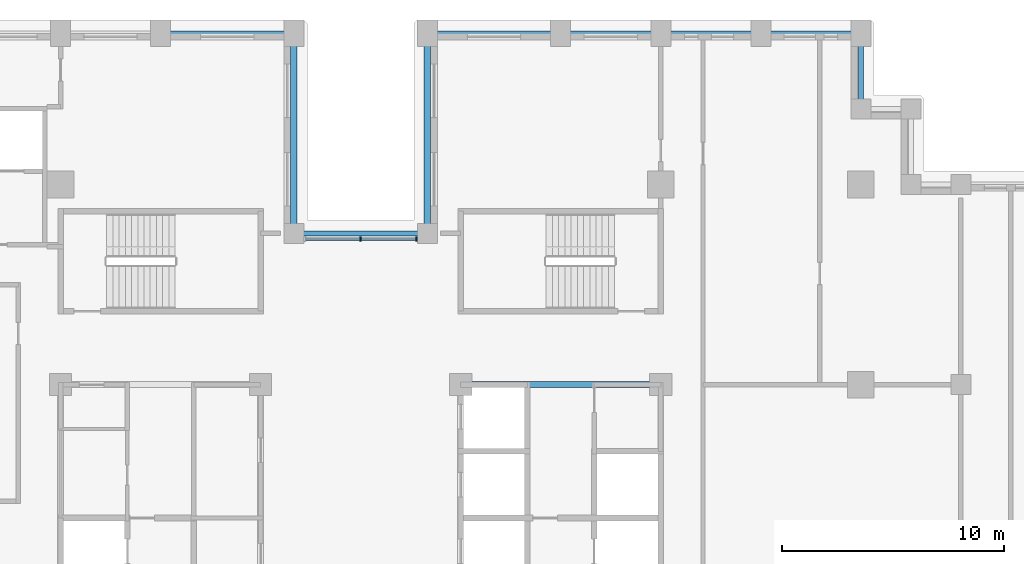
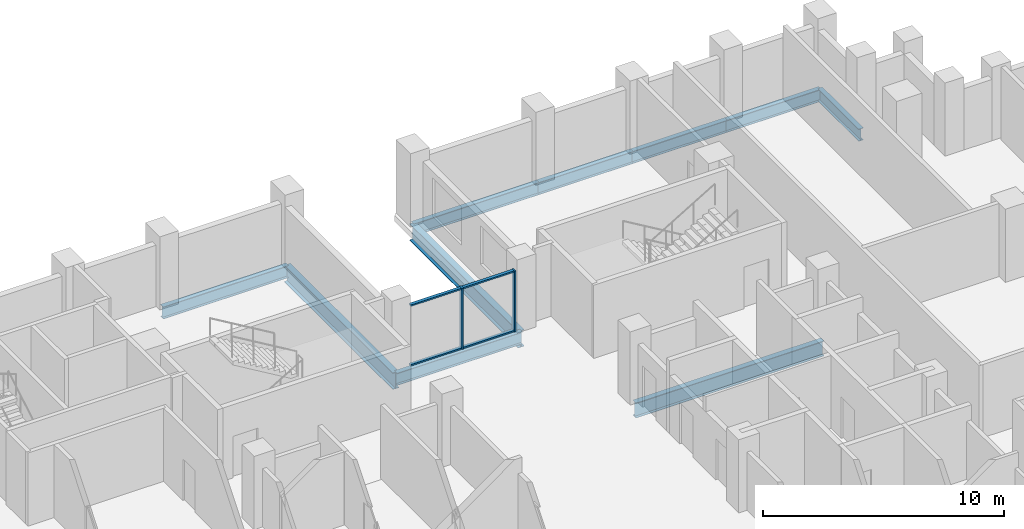
# One storey, part 4 of 16: 10 beams, 6 members, 1 element without a shape of its own.
"""IFC4 building model written with IfcOpenShell, lengths in metres."""

from ifc_helpers import new_model, si_unit, direction, frame, origin, origin_2d, place, context, subcontext, project, spatial, rectangle, i_section, extrude, material, layer, layer_set, material_profile, profile_set, type_object, element, aggregate, save


model = new_model("IFC4")

# Units and contexts
model_context = context("Model", 3, precision=1e-05, world=origin(), true_north=direction((0.0, 1.0)))
body_context = subcontext(model_context, "Body", "Model", "MODEL_VIEW")
ifc_project = project(units=[si_unit("LENGTHUNIT", "METRE"), si_unit("AREAUNIT", "SQUARE_METRE"), si_unit("VOLUMEUNIT", "CUBIC_METRE"), si_unit("PLANEANGLEUNIT", "RADIAN"), si_unit("MASSUNIT", "GRAM", prefix="KILO")], contexts=[model_context])

# Site, building, storey
site_placement = place(None, origin())
site = spatial("IfcSite", under=ifc_project, at=site_placement, CompositionType="ELEMENT")
building_placement = place(site_placement, origin())
building = spatial("IfcBuilding", under=site, at=building_placement, Name="Corbelhall Arena Tower", CompositionType="ELEMENT")
storey_placement = place(building_placement, frame((0.0, 0.0, 108.0)))
storey = spatial("IfcBuildingStorey", under=building, at=storey_placement, Name="L19", CompositionType="ELEMENT", Elevation=108.0)

# Curtain wall, members
ifc_material_1 = material(Name="Aluminium black anodised", Category="aluminium")
ifc_layer = layer(ifc_material_1, 0.199951171875)
ifc_layer_set = layer_set([ifc_layer], Name="EV-CW1 Slot back wall")
curtain_wall_type = type_object("IfcCurtainWallType", Name="EV-CW1 Slot back wall", PredefinedType="NOTDEFINED", material=ifc_layer_set)
curtain_wall_placement = place(storey_placement, origin())
curtain_wall = element("IfcCurtainWall", 1, at=curtain_wall_placement, inside=storey, type_object=curtain_wall_type, Name="Curtain wall CW1", PredefinedType="NOTDEFINED")
ifc_material_profile_1 = material_profile(ifc_material_1, rectangle(XDim=0.199951171875, YDim=0.074951171875, at=origin_2d()))
ifc_profile_set_1 = profile_set([ifc_material_profile_1], Name="Aluminium black anodised")
member_type_1 = type_object("IfcMemberType", Name="EV-CW1-MULLION", PredefinedType="MULLION", material=ifc_profile_set_1)
member_1_placement = place(storey_placement, frame((2.512451171875, 15.550048828125, 0.0), z_axis=(0.0, 0.0, 1.0), x_axis=(0.0, -1.0, 0.0)))
member_1 = element("IfcMember", 2, at=member_1_placement, type_object=member_type_1, Name="CW1 mullion 1", PredefinedType="MULLION", context=body_context, shape_type="SweptSolid", body=[
    extrude(rectangle(XDim=0.199951171875, YDim=0.074951171875, at=origin_2d()), origin(), (0.0, 0.0, 1.0), 3.10009765625),
])
member_2_placement = place(storey_placement, frame((0.0, 15.550048828125, 0.0), z_axis=(0.0, 0.0, 1.0), x_axis=(0.0, -1.0, 0.0)))
member_2 = element("IfcMember", 3, at=member_2_placement, type_object=member_type_1, Name="CW1 mullion 2", PredefinedType="MULLION", context=body_context, shape_type="SweptSolid", body=[
    extrude(rectangle(XDim=0.199951171875, YDim=0.074951171875, at=origin_2d()), origin(), (0.0, 0.0, 1.0), 3.10009765625),
])
ifc_material_profile_2 = material_profile(ifc_material_1, rectangle(XDim=0.14990234375, YDim=0.074951171875, at=origin_2d()))
ifc_profile_set_2 = profile_set([ifc_material_profile_2], Name="Aluminium black anodised")
member_type_2 = type_object("IfcMemberType", Name="EV-CW1-TRANSOM", PredefinedType="USERDEFINED", material=ifc_profile_set_2)
member_3_placement = place(storey_placement, frame((2.47509765625, 15.550048828125, 0.03759765625), z_axis=(-1.0, 0.0, 0.0), x_axis=(0.0, -1.0, 0.0)))
member_3 = element("IfcMember", 4, at=member_3_placement, type_object=member_type_2, Name="CW1 transom 1.1", ObjectType="transom", PredefinedType="USERDEFINED", context=body_context, shape_type="SweptSolid", body=[
    extrude(rectangle(XDim=0.14990234375, YDim=0.074951171875, at=origin_2d()), origin(), (0.0, 0.0, 1.0), 2.4375),
])
member_4_placement = place(storey_placement, frame((2.47509765625, 15.550048828125, 3.0625), z_axis=(-1.0, 0.0, 0.0), x_axis=(0.0, -1.0, 0.0)))
member_4 = element("IfcMember", 5, at=member_4_placement, type_object=member_type_2, Name="CW1 transom 1.2", ObjectType="transom", PredefinedType="USERDEFINED", context=body_context, shape_type="SweptSolid", body=[
    extrude(rectangle(XDim=0.14990234375, YDim=0.074951171875, at=origin_2d()), origin(), (0.0, 0.0, 1.0), 2.4375),
])
member_5_placement = place(storey_placement, frame((-0.03759765625, 15.550048828125, 0.03759765625), z_axis=(-1.0, 0.0, 0.0), x_axis=(0.0, -1.0, 0.0)))
member_5 = element("IfcMember", 6, at=member_5_placement, type_object=member_type_2, Name="CW1 transom 2.1", ObjectType="transom", PredefinedType="USERDEFINED", context=body_context, shape_type="SweptSolid", body=[
    extrude(rectangle(XDim=0.14990234375, YDim=0.074951171875, at=origin_2d()), origin(), (0.0, 0.0, 1.0), 2.4375),
])
member_6_placement = place(storey_placement, frame((-0.03759765625, 15.550048828125, 3.0625), z_axis=(-1.0, 0.0, 0.0), x_axis=(0.0, -1.0, 0.0)))
member_6 = element("IfcMember", 7, at=member_6_placement, type_object=member_type_2, Name="CW1 transom 2.2", ObjectType="transom", PredefinedType="USERDEFINED", context=body_context, shape_type="SweptSolid", body=[
    extrude(rectangle(XDim=0.14990234375, YDim=0.074951171875, at=origin_2d()), origin(), (0.0, 0.0, 1.0), 2.4375),
])
aggregate(curtain_wall, [member_1, member_2, member_3, member_4, member_5, member_6])

# Beams
ifc_material_2 = material(Name="Steel ASTM A992 Gr50", Category="steel")
ifc_material_profile_3 = material_profile(ifc_material_2, i_section(OverallWidth=0.2666015625, OverallDepth=0.761962890625, WebThickness=0.014404296875, FlangeThickness=0.021484375, at=origin_2d()))
ifc_profile_set_3 = profile_set([ifc_material_profile_3], Name="Steel ASTM A992 Gr50")
beam_type_1 = type_object("IfcBeamType", Name="ST-BEAM-W30x116", PredefinedType="BEAM", material=ifc_profile_set_3)
beam_1_placement = place(storey_placement, frame((4.5, 9.0, -0.680908203125), z_axis=(1.0, 0.0, 0.0), x_axis=(0.0, 1.0, 0.0)))
element("IfcBeam", 8, at=beam_1_placement, inside=storey, type_object=beam_type_1, Name="Beam CEE 12", PredefinedType="BEAM", context=body_context, shape_type="SweptSolid", body=[
    extrude(i_section(OverallWidth=0.2666015625, OverallDepth=0.761962890625, WebThickness=0.014404296875, FlangeThickness=0.021484375, at=origin_2d()), origin(), (0.0, 0.0, 1.0), 9.0),
])
ifc_material_profile_4 = material_profile(ifc_material_2, i_section(OverallWidth=0.23046875, OverallDepth=0.6171875, WebThickness=0.01318359375, FlangeThickness=0.022216796875, at=origin_2d()))
ifc_profile_set_4 = profile_set([ifc_material_profile_4], Name="Steel ASTM A992 Gr50")
beam_type_2 = type_object("IfcBeamType", Name="ST-SPANDREL-W24x94", PredefinedType="SPANDREL", material=ifc_profile_set_4)
beam_2_placement = place(storey_placement, frame((3.0, 24.800048828125, -0.608642578125), z_axis=(1.0, 0.0, 0.0), x_axis=(0.0, 1.0, 0.0)))
element("IfcBeam", 9, at=beam_2_placement, inside=storey, type_object=beam_type_2, Name="Beam SP 17", PredefinedType="SPANDREL", context=body_context, shape_type="SweptSolid", body=[
    extrude(i_section(OverallWidth=0.23046875, OverallDepth=0.6171875, WebThickness=0.01318359375, FlangeThickness=0.022216796875, at=origin_2d()), origin(), (0.0, 0.0, 1.0), 6.0),
])
for number, where, z_axis, x_axis, name in (
    (10, (9.0, 24.800048828125, -0.608642578125), (1.0, 0.0, 0.0), (0.0, 1.0, 0.0), "Beam SP 18"),
    (11, (13.5, 24.800048828125, -0.608642578125), (1.0, 0.0, 0.0), (0.0, 1.0, 0.0), "Beam SP 19"),
    (12, (18.0, 24.800048828125, -0.608642578125), (1.0, 0.0, 0.0), (0.0, 1.0, 0.0), "Beam SP 20"),
):
    element("IfcBeam", number, at=place(storey_placement, frame(where, z_axis=z_axis, x_axis=x_axis)), inside=storey, type_object=beam_type_2, Name=name, PredefinedType="SPANDREL", context=body_context, shape_type="SweptSolid", body=[
        extrude(i_section(OverallWidth=0.23046875, OverallDepth=0.6171875, WebThickness=0.01318359375, FlangeThickness=0.022216796875, at=origin_2d()), origin(), (0.0, 0.0, 1.0), 4.5),
    ])
beam_3_placement = place(storey_placement, frame((22.5, 24.800048828125, -0.608642578125), z_axis=(0.0, -1.0, 0.0), x_axis=(1.0, 0.0, 0.0)))
element("IfcBeam", 13, at=beam_3_placement, inside=storey, type_object=beam_type_2, Name="Beam SP 21", PredefinedType="SPANDREL", context=body_context, shape_type="SweptSolid", body=[
    extrude(i_section(OverallWidth=0.23046875, OverallDepth=0.6171875, WebThickness=0.01318359375, FlangeThickness=0.022216796875, at=origin_2d()), origin(), (0.0, 0.0, 1.0), 3.400146484375),
])
for number, where, z_axis, x_axis, name in (
    (14, (-9.0, 24.800048828125, -0.608642578125), (1.0, 0.0, 0.0), (0.0, 1.0, 0.0), "Beam SP 23"),
    (15, (-3.0, 15.800048828125, -0.608642578125), (1.0, 0.0, 0.0), (0.0, 1.0, 0.0), "Beam SP 40"),
):
    element("IfcBeam", number, at=place(storey_placement, frame(where, z_axis=z_axis, x_axis=x_axis)), inside=storey, type_object=beam_type_2, Name=name, PredefinedType="SPANDREL", context=body_context, shape_type="SweptSolid", body=[
        extrude(i_section(OverallWidth=0.23046875, OverallDepth=0.6171875, WebThickness=0.01318359375, FlangeThickness=0.022216796875, at=origin_2d()), origin(), (0.0, 0.0, 1.0), 6.0),
    ])
ifc_material_profile_5 = material_profile(ifc_material_2, i_section(OverallWidth=0.2919921875, OverallDepth=0.845703125, WebThickness=0.015380859375, FlangeThickness=0.0244140625, at=origin_2d()))
ifc_profile_set_5 = profile_set([ifc_material_profile_5], Name="Steel ASTM A992 Gr50")
beam_type_3 = type_object("IfcBeamType", Name="ST-SPANDREL-W33x141", PredefinedType="SPANDREL", material=ifc_profile_set_5)
for number, where, z_axis, x_axis, name in (
    (16, (-3.0, 24.800048828125, -0.722900390625), (0.0, -1.0, 0.0), (1.0, 0.0, 0.0), "Beam SP 22"),
    (17, (3.0, 15.800048828125, -0.722900390625), (0.0, 1.0, 0.0), (-1.0, 0.0, 0.0), "Beam SP 39"),
):
    element("IfcBeam", number, at=place(storey_placement, frame(where, z_axis=z_axis, x_axis=x_axis)), inside=storey, type_object=beam_type_3, Name=name, PredefinedType="SPANDREL", context=body_context, shape_type="SweptSolid", body=[
        extrude(i_section(OverallWidth=0.2919921875, OverallDepth=0.845703125, WebThickness=0.015380859375, FlangeThickness=0.0244140625, at=origin_2d()), origin(), (0.0, 0.0, 1.0), 9.0),
    ])

save(model, "model.ifc")
